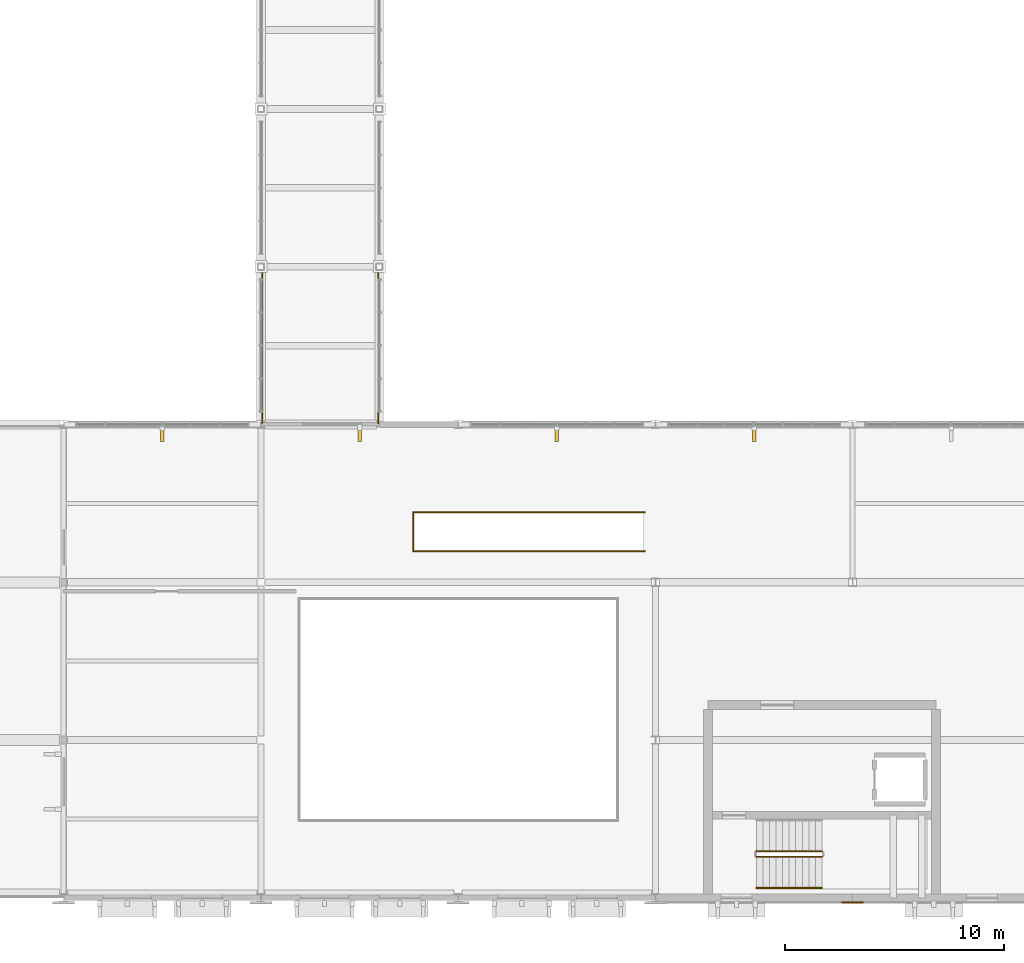
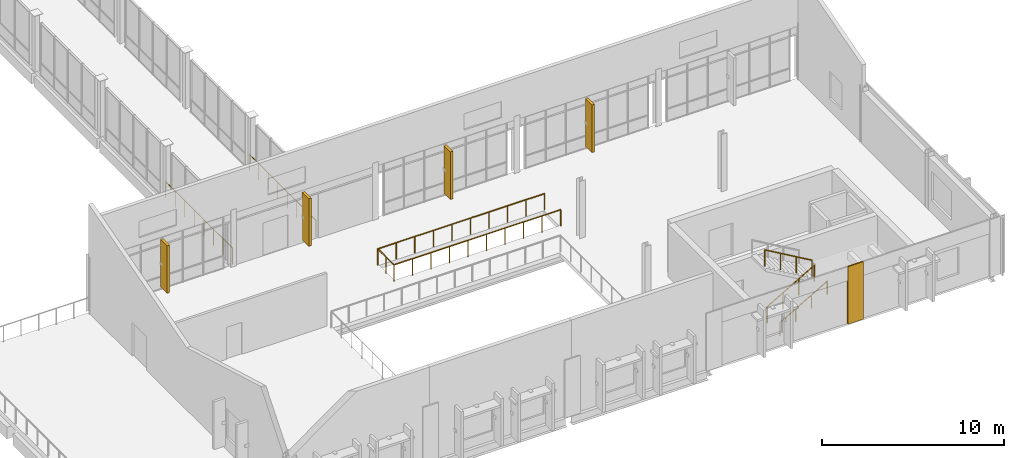
# One storey, part 76 of 85: 8 railings, 4 shading devices, 1 covering.
"""IFC4 building model written with IfcOpenShell, lengths in metres."""

from ifc_helpers import new_model, si_unit, direction, frame, origin, origin_2d, place, context, subcontext, project, spatial, rectangle, circle, extrude, material, layer, layer_set, type_object, element, save


model = new_model("IFC4")

# Units and contexts
model_context = context("Model", 3, precision=1e-05, world=origin(), true_north=direction((0.0, 1.0)))
body_context = subcontext(model_context, "Body", "Model", "MODEL_VIEW")
ifc_project = project(units=[si_unit("LENGTHUNIT", "METRE"), si_unit("AREAUNIT", "SQUARE_METRE"), si_unit("VOLUMEUNIT", "CUBIC_METRE"), si_unit("PLANEANGLEUNIT", "RADIAN"), si_unit("MASSUNIT", "GRAM", prefix="KILO")], contexts=[model_context])

# Site, building, storey
site_placement = place(None, origin())
site = spatial("IfcSite", under=ifc_project, at=site_placement, CompositionType="ELEMENT")
building_placement = place(site_placement, origin())
building = spatial("IfcBuilding", under=site, at=building_placement, Name="Vervanel Yard Central Library", CompositionType="ELEMENT")
storey_placement = place(building_placement, frame((0.0, 0.0, 5.10009765625)))
storey = spatial("IfcBuildingStorey", under=building, at=storey_placement, Name="L01", CompositionType="ELEMENT", Elevation=5.10009765625)

# Railing
ifc_material_1 = material(Name="Brushed stainless steel AISI 316", Category="steel")
railing_type_1 = type_object("IfcRailingType", Name="Brushed Stainless Stair Handrail 900", PredefinedType="HANDRAIL", material=ifc_material_1)
railing_1_placement = place(storey_placement, frame((94.60009765625, 0.449951171875, 0.174560546875)))
element("IfcRailing", 1, at=railing_1_placement, inside=storey, type_object=railing_type_1, Name="L01 ST-06 stair handrail 1", PredefinedType="HANDRAIL", context=body_context, shape_type="SweptSolid", body=[
    extrude(circle(Radius=0.02392578125, at=origin_2d()), frame((0.0, 0.0, 0.8759765625), z_axis=(0.864360011887, 0.0, 0.502873512775), x_axis=(0.0, 1.0, 0.0)), (0.0, 0.0, 1.0), 3.470703125),
    extrude(circle(Radius=0.02099609375, at=origin_2d()), origin(), (0.0, 0.0, 1.0), 0.851806640625),
    extrude(circle(Radius=0.02099609375, at=origin_2d()), frame((1.0, 0.0, 0.581787109375)), (0.0, 0.0, 1.0), 0.851806640625),
    extrude(circle(Radius=0.02099609375, at=origin_2d()), frame((2.0, 0.0, 1.16357421875)), (0.0, 0.0, 1.0), 0.851806640625),
    extrude(circle(Radius=0.02099609375, at=origin_2d()), frame((3.0, 0.0, 1.745361328125)), (0.0, 0.0, 1.0), 0.851806640625),
])

# Covering
ifc_material_2 = material(Name="Precast concrete C45/55", Category="concrete")
ifc_layer = layer(ifc_material_2, 0.0849609375, Category="concrete")
ifc_layer_set = layer_set([ifc_layer], Name="Precast concrete C45/55")
covering_type = type_object("IfcCoveringType", Name="Bush-Hammered Precast Architectural Cladding Panel", PredefinedType="CLADDING", material=ifc_layer_set)
covering_placement = place(storey_placement, frame((99.0, -0.21240234375, 0.0), z_axis=(0.0, 0.0, 1.0), x_axis=(1.0, 0.0, 0.0)))
element("IfcCovering", 2, at=covering_placement, inside=storey, type_object=covering_type, Name="L01 Precast Concrete Pier Pilaster EWALL-L01-0203-B", PredefinedType="CLADDING", context=body_context, shape_type="SweptSolid", body=[
    extrude(rectangle(XDim=0.97998046875, YDim=0.0849609375, at=origin_2d()), origin(), (0.0, 0.0, 1.0), 3.860107421875),
])

# Railings
railing_type_2 = type_object("IfcRailingType", Name="Glazed Atrium & Gallery Balustrade 1120", PredefinedType="BALUSTRADE", material=ifc_material_1)
railing_2_placement = place(storey_placement, frame((78.93994140625, 15.81005859375, 0.0)))
element("IfcRailing", 3, at=railing_2_placement, inside=storey, type_object=railing_type_2, Name="L01 Void Guard FST-06-L00-WELLGD S", PredefinedType="BALUSTRADE", context=body_context, shape_type="SweptSolid", body=[
    extrude(circle(Radius=0.02392578125, at=origin_2d()), frame((0.0, 0.0, 1.09619140625), z_axis=(1.0, 0.0, 0.0), x_axis=(0.0, 1.0, 0.0)), (0.0, 0.0, 1.0), 10.5849609375),
    extrude(circle(Radius=0.02099609375, at=origin_2d()), origin(), (0.0, 0.0, 1.0), 1.072021484375),
    extrude(circle(Radius=0.02099609375, at=origin_2d()), frame((1.176025390625, 0.0, 0.0)), (0.0, 0.0, 1.0), 1.072021484375),
    extrude(circle(Radius=0.02099609375, at=origin_2d()), frame((2.352294921875, 0.0, 0.0)), (0.0, 0.0, 1.0), 1.072021484375),
    extrude(circle(Radius=0.02099609375, at=origin_2d()), frame((3.5283203125, 0.0, 0.0)), (0.0, 0.0, 1.0), 1.072021484375),
    extrude(circle(Radius=0.02099609375, at=origin_2d()), frame((4.704345703125, 0.0, 0.0)), (0.0, 0.0, 1.0), 1.072021484375),
    extrude(circle(Radius=0.02099609375, at=origin_2d()), frame((5.880615234375, 0.0, 0.0)), (0.0, 0.0, 1.0), 1.072021484375),
    extrude(circle(Radius=0.02099609375, at=origin_2d()), frame((7.056640625, 0.0, 0.0)), (0.0, 0.0, 1.0), 1.072021484375),
    extrude(circle(Radius=0.02099609375, at=origin_2d()), frame((8.232666015625, 0.0, 0.0)), (0.0, 0.0, 1.0), 1.072021484375),
    extrude(circle(Radius=0.02099609375, at=origin_2d()), frame((9.408935546875, 0.0, 0.0)), (0.0, 0.0, 1.0), 1.072021484375),
    extrude(circle(Radius=0.02099609375, at=origin_2d()), frame((10.5849609375, 0.0, 0.0)), (0.0, 0.0, 1.0), 1.072021484375),
])
railing_3_placement = place(storey_placement, frame((89.52490234375, 17.590087890625, 0.0)))
element("IfcRailing", 4, at=railing_3_placement, inside=storey, type_object=railing_type_2, Name="L01 Void Guard FST-06-L00-WELLGD N", PredefinedType="BALUSTRADE", context=body_context, shape_type="SweptSolid", body=[
    extrude(circle(Radius=0.02392578125, at=origin_2d()), frame((0.0, 0.0, 1.09619140625), z_axis=(-1.0, 0.0, 0.0), x_axis=(0.0, -1.0, 0.0)), (0.0, 0.0, 1.0), 10.5849609375),
    extrude(circle(Radius=0.02099609375, at=origin_2d()), origin(), (0.0, 0.0, 1.0), 1.072021484375),
    extrude(circle(Radius=0.02099609375, at=origin_2d()), frame((-1.176025390625, 0.0, 0.0)), (0.0, 0.0, 1.0), 1.072021484375),
    extrude(circle(Radius=0.02099609375, at=origin_2d()), frame((-2.352294921875, 0.0, 0.0)), (0.0, 0.0, 1.0), 1.072021484375),
    extrude(circle(Radius=0.02099609375, at=origin_2d()), frame((-3.5283203125, 0.0, 0.0)), (0.0, 0.0, 1.0), 1.072021484375),
    extrude(circle(Radius=0.02099609375, at=origin_2d()), frame((-4.704345703125, 0.0, 0.0)), (0.0, 0.0, 1.0), 1.072021484375),
    extrude(circle(Radius=0.02099609375, at=origin_2d()), frame((-5.880615234375, 0.0, 0.0)), (0.0, 0.0, 1.0), 1.072021484375),
    extrude(circle(Radius=0.02099609375, at=origin_2d()), frame((-7.056640625, 0.0, 0.0)), (0.0, 0.0, 1.0), 1.072021484375),
    extrude(circle(Radius=0.02099609375, at=origin_2d()), frame((-8.232666015625, 0.0, 0.0)), (0.0, 0.0, 1.0), 1.072021484375),
    extrude(circle(Radius=0.02099609375, at=origin_2d()), frame((-9.408935546875, 0.0, 0.0)), (0.0, 0.0, 1.0), 1.072021484375),
    extrude(circle(Radius=0.02099609375, at=origin_2d()), frame((-10.5849609375, 0.0, 0.0)), (0.0, 0.0, 1.0), 1.072021484375),
])
railing_4_placement = place(storey_placement, frame((78.93994140625, 17.590087890625, 0.0)))
element("IfcRailing", 5, at=railing_4_placement, inside=storey, type_object=railing_type_2, Name="L01 Void Guard FST-06-L00-WELLGD W", PredefinedType="BALUSTRADE", context=body_context, shape_type="SweptSolid", body=[
    extrude(circle(Radius=0.02392578125, at=origin_2d()), frame((0.0, 0.0, 1.09619140625), z_axis=(0.0, -1.0, 0.0), x_axis=(1.0, 0.0, 0.0)), (0.0, 0.0, 1.0), 1.780029296875),
    extrude(circle(Radius=0.02099609375, at=origin_2d()), origin(), (0.0, 0.0, 1.0), 1.072021484375),
    extrude(circle(Radius=0.02099609375, at=origin_2d()), frame((0.0, -0.89013671875, 0.0)), (0.0, 0.0, 1.0), 1.072021484375),
    extrude(circle(Radius=0.02099609375, at=origin_2d()), frame((0.0, -1.780029296875, 0.0)), (0.0, 0.0, 1.0), 1.072021484375),
])
for number, where, name in (
    (6, (77.35009765625, 21.64990234375, 0.0), "L01 Perimeter Gap Guard BRG-END-GD-1"),
    (7, (72.050048828125, 21.64990234375, 0.0), "L01 Perimeter Gap Guard BRG-END-GD-3"),
):
    element("IfcRailing", number, at=place(storey_placement, frame(where)), inside=storey, type_object=railing_type_2, Name=name, PredefinedType="BALUSTRADE", context=body_context, shape_type="SweptSolid", body=[
        extrude(circle(Radius=0.02392578125, at=origin_2d()), frame((0.0, 0.0, 1.09619140625), z_axis=(0.0, 1.0, 0.0), x_axis=(-1.0, 0.0, 0.0)), (0.0, 0.0, 1.0), 7.35009765625),
        extrude(circle(Radius=0.02099609375, at=origin_2d()), origin(), (0.0, 0.0, 1.0), 1.072021484375),
        extrude(circle(Radius=0.02099609375, at=origin_2d()), frame((0.0, 1.050048828125, 0.0)), (0.0, 0.0, 1.0), 1.072021484375),
        extrude(circle(Radius=0.02099609375, at=origin_2d()), frame((0.0, 2.10009765625, 0.0)), (0.0, 0.0, 1.0), 1.072021484375),
        extrude(circle(Radius=0.02099609375, at=origin_2d()), frame((0.0, 3.150146484375, 0.0)), (0.0, 0.0, 1.0), 1.072021484375),
        extrude(circle(Radius=0.02099609375, at=origin_2d()), frame((0.0, 4.199951171875, 0.0)), (0.0, 0.0, 1.0), 1.072021484375),
        extrude(circle(Radius=0.02099609375, at=origin_2d()), frame((0.0, 5.25, 0.0)), (0.0, 0.0, 1.0), 1.072021484375),
        extrude(circle(Radius=0.02099609375, at=origin_2d()), frame((0.0, 6.300048828125, 0.0)), (0.0, 0.0, 1.0), 1.072021484375),
        extrude(circle(Radius=0.02099609375, at=origin_2d()), frame((0.0, 7.35009765625, 0.0)), (0.0, 0.0, 1.0), 1.072021484375),
    ])
ifc_material_3 = material(Name="Galvanized painted steelwork ASTM A500 Grade C", Category="steel")
railing_type_3 = type_object("IfcRailingType", Name="Painted Steel Guardrail 1100", PredefinedType="GUARDRAIL", material=ifc_material_3)
railing_5_placement = place(storey_placement, frame((94.60009765625, 1.8701171875, 0.174560546875)))
element("IfcRailing", 8, at=railing_5_placement, inside=storey, type_object=railing_type_3, Name="L01 ST-06 stair guard 1", PredefinedType="GUARDRAIL", context=body_context, shape_type="SweptSolid", body=[
    extrude(circle(Radius=0.02392578125, at=origin_2d()), frame((0.0, 0.0, 1.076171875), z_axis=(0.864360011887, 0.0, 0.502873512775), x_axis=(0.0, 1.0, 0.0)), (0.0, 0.0, 1.0), 3.470703125),
    extrude(circle(Radius=0.02099609375, at=origin_2d()), origin(), (0.0, 0.0, 1.0), 1.052001953125),
    extrude(circle(Radius=0.02099609375, at=origin_2d()), frame((1.0, 0.0, 0.581787109375)), (0.0, 0.0, 1.0), 1.052001953125),
    extrude(circle(Radius=0.02099609375, at=origin_2d()), frame((2.0, 0.0, 1.16357421875)), (0.0, 0.0, 1.0), 1.052001953125),
    extrude(circle(Radius=0.02099609375, at=origin_2d()), frame((3.0, 0.0, 1.745361328125)), (0.0, 0.0, 1.0), 1.052001953125),
])
railing_6_placement = place(storey_placement, frame((97.60009765625, 2.1298828125, 2.094482421875)))
element("IfcRailing", 9, at=railing_6_placement, inside=storey, type_object=railing_type_3, Name="L01 ST-06 stair guard 3", PredefinedType="GUARDRAIL", context=body_context, shape_type="SweptSolid", body=[
    extrude(circle(Radius=0.02392578125, at=origin_2d()), frame((0.0, 0.0, 1.076171875), z_axis=(-0.864360011887, 0.0, 0.502873512775), x_axis=(0.0, -1.0, 0.0)), (0.0, 0.0, 1.0), 3.470703125),
    extrude(circle(Radius=0.02099609375, at=origin_2d()), origin(), (0.0, 0.0, 1.0), 1.052001953125),
    extrude(circle(Radius=0.02099609375, at=origin_2d()), frame((-1.0, 0.0, 0.581787109375)), (0.0, 0.0, 1.0), 1.052001953125),
    extrude(circle(Radius=0.02099609375, at=origin_2d()), frame((-2.0, 0.0, 1.16357421875)), (0.0, 0.0, 1.0), 1.052001953125),
    extrude(circle(Radius=0.02099609375, at=origin_2d()), frame((-3.0, 0.0, 1.745361328125)), (0.0, 0.0, 1.0), 1.052001953125),
])

# Shading devices
shading_device_type = type_object("IfcShadingDeviceType", Name="Vertical Precast Solar Fin 160x720x3200", PredefinedType="JALOUSIE", material=ifc_material_2)
for number, where, z_axis, x_axis, name in (
    (10, (67.5, 21.18994140625, 0.1650390625), (0.0, 0.0, 1.0), (1.0, 0.0, 0.0), "L01 Precast Solar Fin 601"),
    (11, (76.5, 21.18994140625, 0.1650390625), (0.0, 0.0, 1.0), (1.0, 0.0, 0.0), "L01 Precast Solar Fin 602"),
    (12, (85.5, 21.18994140625, 0.1650390625), (0.0, 0.0, 1.0), (1.0, 0.0, 0.0), "L01 Precast Solar Fin 603"),
    (13, (94.5, 21.18994140625, 0.1650390625), (0.0, 0.0, 1.0), (1.0, 0.0, 0.0), "L01 Precast Solar Fin 604"),
):
    element("IfcShadingDevice", number, at=place(storey_placement, frame(where, z_axis=z_axis, x_axis=x_axis)), inside=storey, type_object=shading_device_type, Name=name, PredefinedType="JALOUSIE", context=body_context, shape_type="SweptSolid", body=[
        extrude(rectangle(XDim=0.159912109375, YDim=0.719970703125, at=origin_2d()), origin(), (0.0, 0.0, 1.0), 3.199951171875),
    ])

save(model, "model.ifc")
